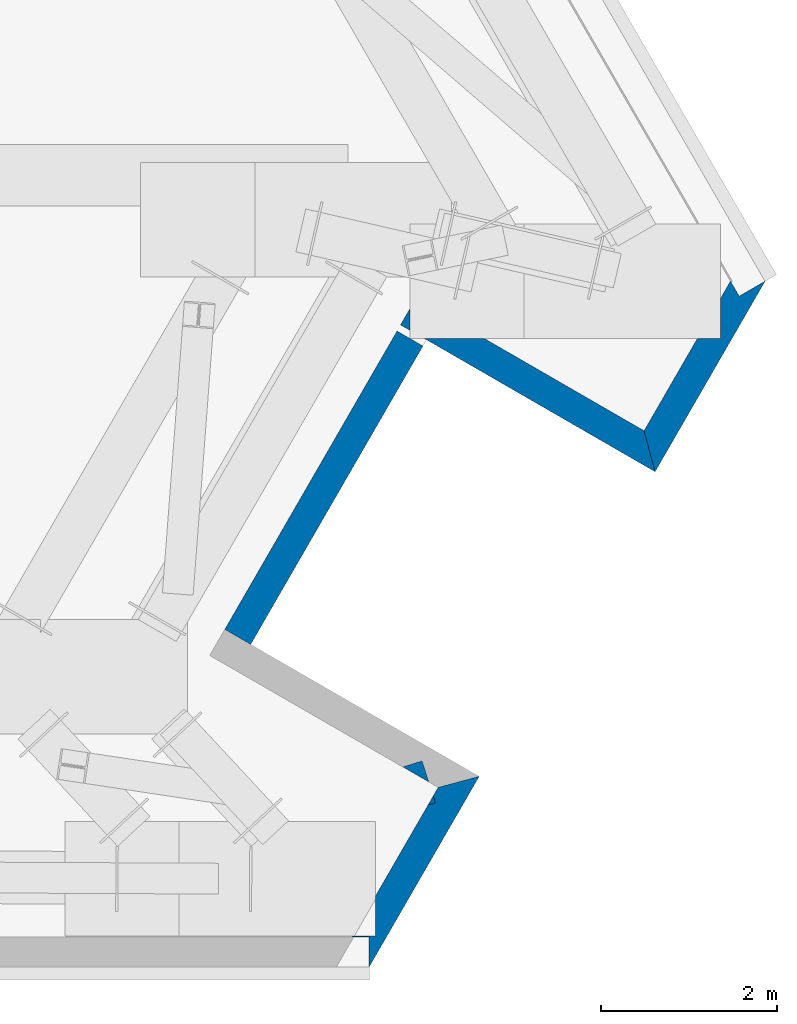
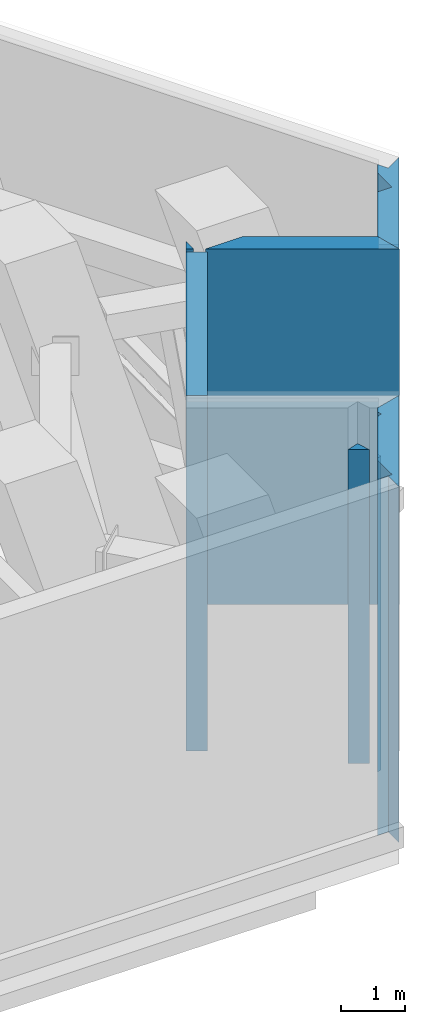
# One storey, part 8 of 13: 7 walls.
"""IFC4 building model written with IfcOpenShell, lengths in metres."""

from ifc_helpers import new_model, si_unit, direction, frame, frame_2d, origin, place, context, subcontext, project, spatial, polyline, rectangle, outline, extrude, material, layer, layer_set, type_object, element, save


model = new_model("IFC4")

# Units and contexts
model_context = context("Model", 3, precision=1e-05, world=origin(), true_north=direction((0.0, 1.0)))
body_context = subcontext(model_context, "Body", "Model", "MODEL_VIEW")
ifc_project = project(units=[si_unit("LENGTHUNIT", "METRE"), si_unit("AREAUNIT", "SQUARE_METRE"), si_unit("VOLUMEUNIT", "CUBIC_METRE"), si_unit("PLANEANGLEUNIT", "RADIAN"), si_unit("MASSUNIT", "GRAM", prefix="KILO")], contexts=[model_context])

# Site, building, storey
site_placement = place(None, origin())
site = spatial("IfcSite", under=ifc_project, at=site_placement, CompositionType="ELEMENT")
building_placement = place(site_placement, origin())
building = spatial("IfcBuilding", under=site, at=building_placement, Name="Fogline Exchange Tower", CompositionType="ELEMENT")
storey_placement = place(building_placement, frame((0.0, 0.0, 174.89990234375)))
storey = spatial("IfcBuildingStorey", under=building, at=storey_placement, Name="L39", CompositionType="ELEMENT", Elevation=174.89990234375)

# Walls
ifc_material = material(Name="Brick masonry", Category="masonry")
ifc_layer = layer(ifc_material, 0.340087890625)
ifc_layer_set = layer_set([ifc_layer], Name="FW3")
wall_type = type_object("IfcWallType", Name="FW3", PredefinedType="SOLIDWALL", material=ifc_layer_set)
wall_1_placement = place(storey_placement, origin())
element("IfcWall", 1, at=wall_1_placement, inside=storey, type_object=wall_type, Name="Brick wall L39 SE-c1", PredefinedType="SOLIDWALL", context=body_context, shape_type="SweptSolid", body=[
    extrude(outline(polyline([(24.631591796875, 1.94189453125), (24.65576171875, 1.865234375), (24.572021484375, 1.838623046875), (24.631591796875, 1.94189453125)])), origin(), (0.0, 0.0, 1.0), 6.0),
])
wall_2_placement = place(storey_placement, origin())
element("IfcWall", 2, at=wall_2_placement, inside=storey, type_object=wall_type, Name="Brick wall L39 SE-c1", PredefinedType="SOLIDWALL", context=body_context, shape_type="SweptSolid", body=[
    extrude(outline(polyline([(23.903564453125, -0.001220703125), (23.903076171875, -0.0009765625), (23.903076171875, 0.33935546875), (23.706298828125, 0.33935546875), (23.71240234375, 0.35009765625), (23.976318359375, 0.35009765625), (23.976318359375, 0.80712890625), (24.572021484375, 1.838623046875), (24.65576171875, 1.865234375), (24.631591796875, 1.94189453125), (24.68896484375, 2.041015625), (25.154541015625, 2.166015625), (25.15478515625, 2.165771484375), (23.903564453125, -0.001220703125)])), origin(), (0.0, 0.0, 1.0), 6.800048828125),
])
wall_3_placement = place(storey_placement, origin())
element("IfcWall", 3, at=wall_3_placement, inside=storey, type_object=wall_type, Name="Brick wall L39 SE-s1", PredefinedType="SOLIDWALL", context=body_context, shape_type="SweptSolid", body=[
    extrude(outline(polyline([(24.2861328125, 2.272705078125), (24.5048828125, 2.341796875), (24.58056640625, 2.1025390625), (24.2861328125, 2.272705078125)])), origin(), (0.0, 0.0, 1.0), 6.0),
])
wall_4_placement = place(storey_placement, frame((22.408447265625, 3.75, 0.0), z_axis=(0.0, 0.0, 1.0), x_axis=(0.499979589489, 0.866037187478, 0.0)))
element("IfcWall", 4, at=wall_4_placement, inside=storey, type_object=wall_type, Name="Brick wall L39 SE-bk", PredefinedType="SOLIDWALL", context=body_context, shape_type="SweptSolid", body=[
    extrude(rectangle(XDim=3.917724609375, YDim=0.340087890625, at=frame_2d((1.958984375, 0.0))), origin(), (0.0, 0.0, 1.0), 6.800048828125),
])
wall_5_placement = place(storey_placement, origin())
element("IfcWall", 5, at=wall_5_placement, inside=storey, type_object=wall_type, Name="Brick wall L39 SE-s2", PredefinedType="SOLIDWALL", context=body_context, shape_type="SweptSolid", body=[
    extrude(outline(polyline([(27.154296875, 5.628173828125), (24.555419921875, 7.128662109375), (24.5283203125, 7.144287109375), (25.210693359375, 7.144287109375), (27.02978515625, 6.093994140625), (27.154541015625, 5.62841796875), (27.154296875, 5.628173828125)])), origin(), (0.0, 0.0, 1.0), 6.800048828125),
])
wall_6_placement = place(storey_placement, origin())
element("IfcWall", 6, at=wall_6_placement, inside=storey, type_object=wall_type, Name="Brick wall L39 SE-s2", PredefinedType="SOLIDWALL", context=body_context, shape_type="SweptSolid", body=[
    extrude(outline(polyline([(24.26025390625, 7.298828125), (24.36474609375, 7.479736328125), (24.36474609375, 7.23876953125), (24.26025390625, 7.298828125)])), origin(), (0.0, 0.0, 1.0), 6.800048828125),
])
wall_7_placement = place(storey_placement, origin())
element("IfcWall", 7, at=wall_7_placement, inside=storey, type_object=wall_type, Name="Brick wall L39 SE-c2", PredefinedType="SOLIDWALL", context=body_context, shape_type="SweptSolid", body=[
    extrude(outline(polyline([(27.635009765625, 7.144287109375), (27.89892578125, 7.144287109375), (27.89892578125, 7.601318359375), (28.010986328125, 7.79541015625), (28.109375, 7.625), (28.404296875, 7.79541015625), (28.40478515625, 7.794921875), (27.15380859375, 5.6279296875), (27.1533203125, 5.6279296875), (27.028564453125, 6.09375), (27.635009765625, 7.144287109375)])), origin(), (0.0, 0.0, 1.0), 6.800048828125),
])

save(model, "model.ifc")
